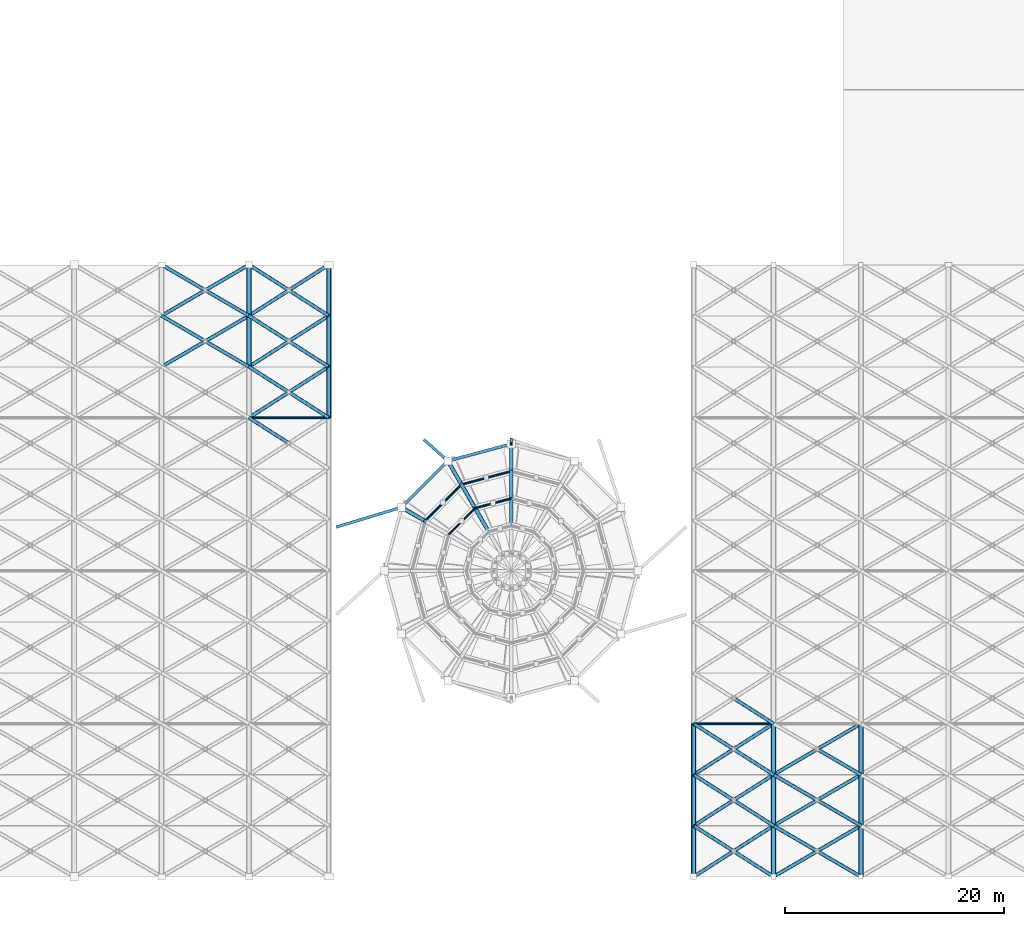
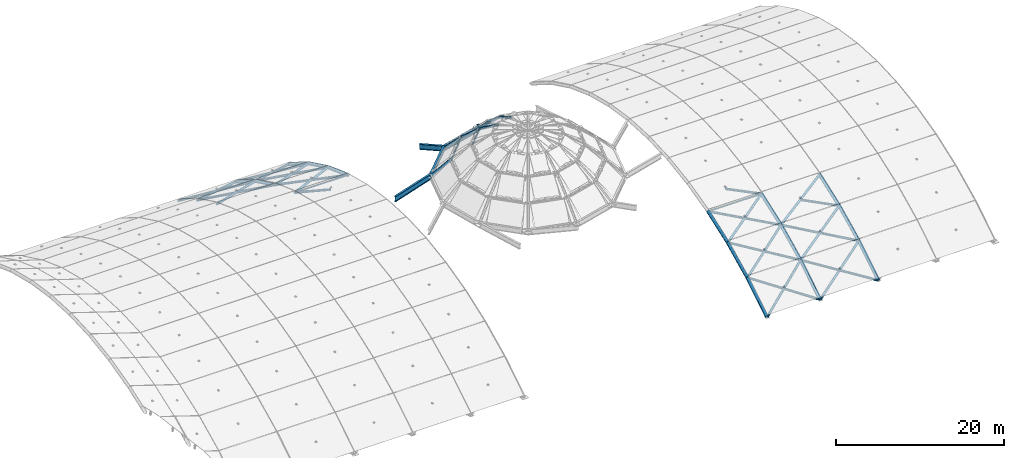
# One storey, part 7 of 21: 61 members, 5 beams.
"""IFC4 building model written with IfcOpenShell, lengths in metres."""

from ifc_helpers import new_model, si_unit, direction, frame, origin, origin_2d, place, context, subcontext, project, spatial, hollow_circle, i_section, extrude, material, material_profile, profile_set, type_object, element, save


model = new_model("IFC4")

# Units and contexts
model_context = context("Model", 3, precision=1e-05, world=origin(), true_north=direction((0.0, 1.0)))
body_context = subcontext(model_context, "Body", "Model", "MODEL_VIEW")
ifc_project = project(units=[si_unit("LENGTHUNIT", "METRE"), si_unit("AREAUNIT", "SQUARE_METRE"), si_unit("VOLUMEUNIT", "CUBIC_METRE"), si_unit("PLANEANGLEUNIT", "RADIAN"), si_unit("MASSUNIT", "GRAM", prefix="KILO")], contexts=[model_context])

# Site, building, storey
site_placement = place(None, origin())
site = spatial("IfcSite", under=ifc_project, at=site_placement, CompositionType="ELEMENT")
building_placement = place(site_placement, origin())
building = spatial("IfcBuilding", under=site, at=building_placement, Name="Solmirada Galleria", CompositionType="ELEMENT")
storey_placement = place(building_placement, frame((0.0, 0.0, 37.5)))
storey = spatial("IfcBuildingStorey", under=building, at=storey_placement, Name="RF", CompositionType="ELEMENT", Elevation=37.5)

# Beams
ifc_material_1 = material(Name="Steel S355 / ASTM A992 Grade 50", Category="steel")
ifc_material_profile_1 = material_profile(ifc_material_1, i_section(OverallWidth=0.26708984375, OverallDepth=0.779052734375, WebThickness=0.0166015625, FlangeThickness=0.030029296875, FilletRadius=0.01904296875, at=origin_2d()), Name="W30X148")
ifc_profile_set_1 = profile_set([ifc_material_profile_1], Name="Steel S355 / ASTM A992 Grade 50")
beam_type = type_object("IfcBeamType", Name="BM-DOME-RING", PredefinedType="BEAM", material=ifc_profile_set_1)
beam_1_placement = place(storey_placement, frame((96.0, 72.0, -0.14990234375), z_axis=(0.0, -0.936376154793, 0.350998143494), x_axis=(1.0, 0.0, 0.0)))
element("IfcBeam", 1, at=beam_1_placement, inside=storey, type_object=beam_type, Name="Atrium dome drum anchor beam 4", PredefinedType="BEAM", context=body_context, shape_type="SweptSolid", body=[
    extrude(i_section(OverallWidth=0.26708984375, OverallDepth=0.779052734375, WebThickness=0.0166015625, FlangeThickness=0.030029296875, FilletRadius=0.01904296875, at=origin_2d()), origin(), (0.0, 0.0, 1.0), 0.427001953125),
])
beam_2_placement = place(storey_placement, frame((96.0, 71.60009765625, 0.0), z_axis=(-0.965922461362, -0.258831602855, 0.0), x_axis=(0.258831602855, -0.965922461362, 0.0)))
element("IfcBeam", 2, at=beam_2_placement, inside=storey, type_object=beam_type, Name="Atrium dome tension ring beam 4", PredefinedType="BEAM", context=body_context, shape_type="SweptSolid", body=[
    extrude(i_section(OverallWidth=0.26708984375, OverallDepth=0.779052734375, WebThickness=0.0166015625, FlangeThickness=0.030029296875, FilletRadius=0.01904296875, at=origin_2d()), origin(), (0.0, 0.0, 1.0), 6.004638671875),
])
beam_3_placement = place(storey_placement, frame((88.0, 72.0, -0.14990234375), z_axis=(0.746679017327, -0.663235917733, 0.050877917727), x_axis=(0.664096001696, 0.747647310255, 0.0)))
element("IfcBeam", 3, at=beam_3_placement, inside=storey, type_object=beam_type, Name="Atrium dome drum anchor beam 5", PredefinedType="BEAM", context=body_context, shape_type="SweptSolid", body=[
    extrude(i_section(OverallWidth=0.26708984375, OverallDepth=0.779052734375, WebThickness=0.0166015625, FlangeThickness=0.030029296875, FilletRadius=0.01904296875, at=origin_2d()), origin(), (0.0, 0.0, 1.0), 2.9462890625),
])
beam_4_placement = place(storey_placement, frame((90.199951171875, 70.0458984375, 0.0), z_axis=(-0.707106781187, -0.707106781187, 0.0), x_axis=(0.707106781187, -0.707106781187, 0.0)))
element("IfcBeam", 4, at=beam_4_placement, inside=storey, type_object=beam_type, Name="Atrium dome tension ring beam 5", PredefinedType="BEAM", context=body_context, shape_type="SweptSolid", body=[
    extrude(i_section(OverallWidth=0.26708984375, OverallDepth=0.779052734375, WebThickness=0.0166015625, FlangeThickness=0.030029296875, FilletRadius=0.01904296875, at=origin_2d()), origin(), (0.0, 0.0, 1.0), 6.004638671875),
])
beam_5_placement = place(storey_placement, frame((80.0, 64.0, -0.14990234375), z_axis=(0.956934854182, 0.289301323597, 0.024092094492), x_axis=(-0.289385319605, 0.957212691515, 0.0)))
element("IfcBeam", 5, at=beam_5_placement, inside=storey, type_object=beam_type, Name="Atrium dome drum anchor beam 6", PredefinedType="BEAM", context=body_context, shape_type="SweptSolid", body=[
    extrude(i_section(OverallWidth=0.26708984375, OverallDepth=0.779052734375, WebThickness=0.0166015625, FlangeThickness=0.030029296875, FilletRadius=0.01904296875, at=origin_2d()), origin(), (0.0, 0.0, 1.0), 6.22216796875),
])

# Members
ifc_material_2 = material(Name="Steel S355 / ASTM A500 Grade C", Category="steel")
ifc_material_profile_2 = material_profile(ifc_material_2, hollow_circle(Radius=0.109619140625, WallThickness=0.007568359375, at=origin_2d()), Name="HSS8.625X0.322")
ifc_profile_set_2 = profile_set([ifc_material_profile_2], Name="Steel S355 / ASTM A500 Grade C")
member_type_1 = type_object("IfcMemberType", Name="MEM-DOME-PURL", PredefinedType="PURLIN", material=ifc_profile_set_2)
for number, where, z_axis, x_axis, name in (
    (6, (72.0, 74.0, -2.471923828125), (1.0, 0.0, 0.0), (0.0, 1.0, 0.0), "Barrel gridshell longitudinal tie W06-09"),
    (7, (112.699951171875, 46.0, -2.471923828125), (1.0, 0.0, 0.0), (0.0, 1.0, 0.0), "Barrel gridshell longitudinal tie E00-03"),
):
    element("IfcMember", number, at=place(storey_placement, frame(where, z_axis=z_axis, x_axis=x_axis)), inside=storey, type_object=member_type_1, Name=name, PredefinedType="PURLIN", context=body_context, shape_type="SweptSolid", body=[
        extrude(hollow_circle(Radius=0.109619140625, WallThickness=0.007568359375, at=origin_2d()), origin(), (0.0, 0.0, 1.0), 7.300048828125),
    ])
for number, where, z_axis, x_axis, name in (
    (8, (96.0, 69.10595703125, 2.4873046875), (-0.965925625449, -0.258819794647, 0.0), (0.258819794647, -0.965925625449, 0.0), "Atrium dome latitude ring purlin 4.1"),
    (9, (91.447021484375, 67.885986328125, 2.4873046875), (-0.707106781187, -0.707106781187, 0.0), (0.707106781187, -0.707106781187, 0.0), "Atrium dome latitude ring purlin 5.1"),
):
    element("IfcMember", number, at=place(storey_placement, frame(where, z_axis=z_axis, x_axis=x_axis)), inside=storey, type_object=member_type_1, Name=name, PredefinedType="PURLIN", context=body_context, shape_type="SweptSolid", body=[
        extrude(hollow_circle(Radius=0.109619140625, WallThickness=0.007568359375, at=origin_2d()), origin(), (0.0, 0.0, 1.0), 4.713623046875),
    ])
member_1_placement = place(storey_placement, frame((96.0, 66.612060546875, 4.59619140625), z_axis=(-0.965931176381, -0.258799077462, 0.0), x_axis=(0.258799077462, -0.965931176381, 0.0)))
element("IfcMember", 10, at=member_1_placement, inside=storey, type_object=member_type_1, Name="Atrium dome latitude ring purlin 4.2", PredefinedType="PURLIN", context=body_context, shape_type="SweptSolid", body=[
    extrude(hollow_circle(Radius=0.109619140625, WallThickness=0.007568359375, at=origin_2d()), origin(), (0.0, 0.0, 1.0), 3.422607421875),
])
member_2_placement = place(storey_placement, frame((92.694091796875, 65.726318359375, 4.59619140625), z_axis=(-0.707106781187, -0.707106781187, 0.0), x_axis=(0.707106781187, -0.707106781187, 0.0)))
element("IfcMember", 11, at=member_2_placement, inside=storey, type_object=member_type_1, Name="Atrium dome latitude ring purlin 5.2", PredefinedType="PURLIN", context=body_context, shape_type="SweptSolid", body=[
    extrude(hollow_circle(Radius=0.109619140625, WallThickness=0.007568359375, at=origin_2d()), origin(), (0.0, 0.0, 1.0), 3.423095703125),
])
ifc_material_profile_3 = material_profile(ifc_material_2, hollow_circle(Radius=0.177978515625, WallThickness=0.01171875, at=origin_2d()), Name="HSS14.000X0.500")
ifc_profile_set_3 = profile_set([ifc_material_profile_3], Name="Steel S355 / ASTM A500 Grade C")
member_type_2 = type_object("IfcMemberType", Name="MEM-DOME-RIB", PredefinedType="RAFTER", material=ifc_profile_set_3)
for number, where, z_axis, x_axis, name in (
    (12, (96.0, 71.60009765625, 0.0), (0.0, -0.708076462934, 0.706135767851), (1.0, 0.0, 0.0), "Atrium dome meridian rib 4.1"),
    (13, (90.199951171875, 70.0458984375, 0.0), (0.354042979296, -0.613198558699, 0.706145237484), (0.866017682129, 0.500013374061, 0.0), "Atrium dome meridian rib 5.1"),
    (14, (85.9541015625, 65.800048828125, 0.0), (0.613198558699, -0.354042979296, 0.706145237484), (0.500013374061, 0.866017682129, 0.0), "Atrium dome meridian rib 6.1"),
):
    element("IfcMember", number, at=place(storey_placement, frame(where, z_axis=z_axis, x_axis=x_axis)), inside=storey, type_object=member_type_2, Name=name, PredefinedType="RAFTER", context=body_context, shape_type="SweptSolid", body=[
        extrude(hollow_circle(Radius=0.177978515625, WallThickness=0.01171875, at=origin_2d()), origin(), (0.0, 0.0, 1.0), 3.5224609375),
    ])
for number, where, z_axis, x_axis, name in (
    (15, (96.0, 69.10595703125, 2.4873046875), (0.0, -0.763587562078, 0.645704293806), (1.0, 0.0, 0.0), "Atrium dome meridian rib 4.2"),
    (16, (91.447021484375, 67.885986328125, 2.4873046875), (0.381834191915, -0.661257882083, 0.645709426343), (0.865993205636, 0.500055764683, 0.0), "Atrium dome meridian rib 5.2"),
):
    element("IfcMember", number, at=place(storey_placement, frame(where, z_axis=z_axis, x_axis=x_axis)), inside=storey, type_object=member_type_2, Name=name, PredefinedType="RAFTER", context=body_context, shape_type="SweptSolid", body=[
        extrude(hollow_circle(Radius=0.177978515625, WallThickness=0.01171875, at=origin_2d()), origin(), (0.0, 0.0, 1.0), 3.26611328125),
    ])
for number, where, z_axis, x_axis, name in (
    (17, (96.0, 66.612060546875, 4.59619140625), (0.0, -0.870681862804, 0.491846616116), (1.0, 0.0, 0.0), "Atrium dome meridian rib 4.3"),
    (18, (92.694091796875, 65.726318359375, 4.59619140625), (0.435280679452, -0.754048985924, 0.491874838676), (0.866060068719, 0.499939953764, 0.0), "Atrium dome meridian rib 5.3"),
):
    element("IfcMember", number, at=place(storey_placement, frame(where, z_axis=z_axis, x_axis=x_axis)), inside=storey, type_object=member_type_2, Name=name, PredefinedType="RAFTER", context=body_context, shape_type="SweptSolid", body=[
        extrude(hollow_circle(Radius=0.177978515625, WallThickness=0.01171875, at=origin_2d()), origin(), (0.0, 0.0, 1.0), 2.864501953125),
    ])
ifc_material_profile_4 = material_profile(ifc_material_2, hollow_circle(Radius=0.228515625, WallThickness=0.01171875, at=origin_2d()), Name="HSS18.000X0.500")
ifc_profile_set_4 = profile_set([ifc_material_profile_4], Name="Steel S355 / ASTM A500 Grade C")
member_type_3 = type_object("IfcMemberType", Name="MEM-VAULT-ARCH2", PredefinedType="RAFTER", material=ifc_profile_set_4)
member_3_placement = place(storey_placement, frame((72.0, 78.666748046875, -4.17236328125), z_axis=(0.0, 0.899303609311, -0.437324842971), x_axis=(-1.0, 0.0, 0.0)))
element("IfcMember", 19, at=member_3_placement, inside=storey, type_object=member_type_3, Name="Barrel vault arch rib W06-10", PredefinedType="RAFTER", context=body_context, shape_type="SweptSolid", body=[
    extrude(hollow_circle(Radius=0.228515625, WallThickness=0.01171875, at=origin_2d()), origin(), (0.0, 0.0, 1.0), 5.18896484375),
])
member_4_placement = place(storey_placement, frame((72.0, 83.333251953125, -6.441650390625), z_axis=(0.0, 0.847856236134, -0.53022618084), x_axis=(-1.0, 0.0, 0.0)))
element("IfcMember", 20, at=member_4_placement, inside=storey, type_object=member_type_3, Name="Barrel vault arch rib W06-11", PredefinedType="RAFTER", context=body_context, shape_type="SweptSolid", body=[
    extrude(hollow_circle(Radius=0.228515625, WallThickness=0.01171875, at=origin_2d()), origin(), (0.0, 0.0, 1.0), 5.504150390625),
])
member_5_placement = place(storey_placement, frame((79.300048828125, 74.0, -2.471923828125), z_axis=(0.0, 0.939570777515, -0.342354719612), x_axis=(-1.0, 0.0, 0.0)))
element("IfcMember", 21, at=member_5_placement, inside=storey, type_object=member_type_3, Name="Barrel vault arch rib W07-09", PredefinedType="RAFTER", context=body_context, shape_type="SweptSolid", body=[
    extrude(hollow_circle(Radius=0.228515625, WallThickness=0.01171875, at=origin_2d()), origin(), (0.0, 0.0, 1.0), 4.966796875),
])
member_6_placement = place(storey_placement, frame((79.300048828125, 78.666748046875, -4.17236328125), z_axis=(0.0, 0.899303609311, -0.437324842971), x_axis=(-1.0, 0.0, 0.0)))
element("IfcMember", 22, at=member_6_placement, inside=storey, type_object=member_type_3, Name="Barrel vault arch rib W07-10", PredefinedType="RAFTER", context=body_context, shape_type="SweptSolid", body=[
    extrude(hollow_circle(Radius=0.228515625, WallThickness=0.01171875, at=origin_2d()), origin(), (0.0, 0.0, 1.0), 5.18896484375),
])
for number, where, z_axis, x_axis, name in (
    (23, (79.300048828125, 83.333251953125, -6.441650390625), (0.0, 0.847856236134, -0.53022618084), (-1.0, 0.0, 0.0), "Barrel vault arch rib W07-11"),
    (24, (112.699951171875, 32.0, -9.360107421875), (0.0, 0.847856236134, 0.53022618084), (-1.0, 0.0, 0.0), "Barrel vault arch rib E00-00"),
):
    element("IfcMember", number, at=place(storey_placement, frame(where, z_axis=z_axis, x_axis=x_axis)), inside=storey, type_object=member_type_3, Name=name, PredefinedType="RAFTER", context=body_context, shape_type="SweptSolid", body=[
        extrude(hollow_circle(Radius=0.228515625, WallThickness=0.01171875, at=origin_2d()), origin(), (0.0, 0.0, 1.0), 5.504150390625),
    ])
member_7_placement = place(storey_placement, frame((112.699951171875, 36.666748046875, -6.441650390625), z_axis=(0.0, 0.899303609311, 0.437324842971), x_axis=(-1.0, 0.0, 0.0)))
element("IfcMember", 25, at=member_7_placement, inside=storey, type_object=member_type_3, Name="Barrel vault arch rib E00-01", PredefinedType="RAFTER", context=body_context, shape_type="SweptSolid", body=[
    extrude(hollow_circle(Radius=0.228515625, WallThickness=0.01171875, at=origin_2d()), origin(), (0.0, 0.0, 1.0), 5.18896484375),
])
member_8_placement = place(storey_placement, frame((112.699951171875, 41.333251953125, -4.17236328125), z_axis=(0.0, 0.939570777515, 0.342354719612), x_axis=(-1.0, 0.0, 0.0)))
element("IfcMember", 26, at=member_8_placement, inside=storey, type_object=member_type_3, Name="Barrel vault arch rib E00-02", PredefinedType="RAFTER", context=body_context, shape_type="SweptSolid", body=[
    extrude(hollow_circle(Radius=0.228515625, WallThickness=0.01171875, at=origin_2d()), origin(), (0.0, 0.0, 1.0), 4.966796875),
])
member_9_placement = place(storey_placement, frame((120.0, 32.0, -9.360107421875), z_axis=(0.0, 0.847856236134, 0.53022618084), x_axis=(-1.0, 0.0, 0.0)))
element("IfcMember", 27, at=member_9_placement, inside=storey, type_object=member_type_3, Name="Barrel vault arch rib E01-00", PredefinedType="RAFTER", context=body_context, shape_type="SweptSolid", body=[
    extrude(hollow_circle(Radius=0.228515625, WallThickness=0.01171875, at=origin_2d()), origin(), (0.0, 0.0, 1.0), 5.504150390625),
])
member_10_placement = place(storey_placement, frame((120.0, 36.666748046875, -6.441650390625), z_axis=(0.0, 0.899303609311, 0.437324842971), x_axis=(-1.0, 0.0, 0.0)))
element("IfcMember", 28, at=member_10_placement, inside=storey, type_object=member_type_3, Name="Barrel vault arch rib E01-01", PredefinedType="RAFTER", context=body_context, shape_type="SweptSolid", body=[
    extrude(hollow_circle(Radius=0.228515625, WallThickness=0.01171875, at=origin_2d()), origin(), (0.0, 0.0, 1.0), 5.18896484375),
])
member_11_placement = place(storey_placement, frame((120.0, 41.333251953125, -4.17236328125), z_axis=(0.0, 0.939570777515, 0.342354719612), x_axis=(-1.0, 0.0, 0.0)))
element("IfcMember", 29, at=member_11_placement, inside=storey, type_object=member_type_3, Name="Barrel vault arch rib E01-02", PredefinedType="RAFTER", context=body_context, shape_type="SweptSolid", body=[
    extrude(hollow_circle(Radius=0.228515625, WallThickness=0.01171875, at=origin_2d()), origin(), (0.0, 0.0, 1.0), 4.966796875),
])
member_12_placement = place(storey_placement, frame((128.0, 32.0, -9.360107421875), z_axis=(0.0, 0.847856236134, 0.53022618084), x_axis=(-1.0, 0.0, 0.0)))
element("IfcMember", 30, at=member_12_placement, inside=storey, type_object=member_type_3, Name="Barrel vault arch rib E02-00", PredefinedType="RAFTER", context=body_context, shape_type="SweptSolid", body=[
    extrude(hollow_circle(Radius=0.228515625, WallThickness=0.01171875, at=origin_2d()), origin(), (0.0, 0.0, 1.0), 5.504150390625),
])
member_13_placement = place(storey_placement, frame((128.0, 36.666748046875, -6.441650390625), z_axis=(0.0, 0.899303609311, 0.437324842971), x_axis=(-1.0, 0.0, 0.0)))
element("IfcMember", 31, at=member_13_placement, inside=storey, type_object=member_type_3, Name="Barrel vault arch rib E02-01", PredefinedType="RAFTER", context=body_context, shape_type="SweptSolid", body=[
    extrude(hollow_circle(Radius=0.228515625, WallThickness=0.01171875, at=origin_2d()), origin(), (0.0, 0.0, 1.0), 5.18896484375),
])
member_14_placement = place(storey_placement, frame((128.0, 41.333251953125, -4.17236328125), z_axis=(0.0, 0.939570777515, 0.342354719612), x_axis=(-1.0, 0.0, 0.0)))
element("IfcMember", 32, at=member_14_placement, inside=storey, type_object=member_type_3, Name="Barrel vault arch rib E02-02", PredefinedType="RAFTER", context=body_context, shape_type="SweptSolid", body=[
    extrude(hollow_circle(Radius=0.228515625, WallThickness=0.01171875, at=origin_2d()), origin(), (0.0, 0.0, 1.0), 4.966796875),
])
ifc_material_profile_5 = material_profile(ifc_material_2, hollow_circle(Radius=0.162109375, WallThickness=0.0087890625, at=origin_2d()), Name="HSS12.750X0.375")
ifc_profile_set_5 = profile_set([ifc_material_profile_5], Name="Steel S355 / ASTM A500 Grade C")
member_type_4 = type_object("IfcMemberType", Name="MEM-VAULT-DIAG", PredefinedType="BRACE", material=ifc_profile_set_5)
member_15_placement = place(storey_placement, frame((64.0, 78.666748046875, -4.17236328125), z_axis=(0.838969414701, 0.489381756366, -0.237982809743), x_axis=(-0.503857913421, 0.863786549492, 0.0)))
element("IfcMember", 33, at=member_15_placement, inside=storey, type_object=member_type_4, Name="Barrel gridshell continuous diagonal W05-10", PredefinedType="BRACE", context=body_context, shape_type="SweptSolid", body=[
    extrude(hollow_circle(Radius=0.162109375, WallThickness=0.0087890625, at=origin_2d()), origin(), (0.0, 0.0, 1.0), 9.535400390625),
])
for number, where, z_axis, x_axis, name in (
    (34, (64.0, 83.333251953125, -6.441650390625), (0.838964302507, -0.489378774357, 0.238006962772), (0.503857913421, 0.863786549492, 0.0), "Barrel gridshell split diagonal B1 W05-10"),
    (35, (68.0, 81.0, -5.306884765625), (0.838974526438, -0.489384738108, 0.237958656272), (0.503857913421, 0.863786549492, 0.0), "Barrel gridshell split diagonal B2 W05-10"),
):
    element("IfcMember", number, at=place(storey_placement, frame(where, z_axis=z_axis, x_axis=x_axis)), inside=storey, type_object=member_type_4, Name=name, PredefinedType="BRACE", context=body_context, shape_type="SweptSolid", body=[
        extrude(hollow_circle(Radius=0.162109375, WallThickness=0.0087890625, at=origin_2d()), origin(), (0.0, 0.0, 1.0), 4.767822265625),
    ])
member_16_placement = place(storey_placement, frame((64.0, 83.333251953125, -6.441650390625), z_axis=(0.823841216452, 0.480582423477, -0.300543148849), x_axis=(-0.503877581445, 0.863775076578, 0.0)))
element("IfcMember", 36, at=member_16_placement, inside=storey, type_object=member_type_4, Name="Barrel gridshell continuous diagonal W05-11", PredefinedType="BRACE", context=body_context, shape_type="SweptSolid", body=[
    extrude(hollow_circle(Radius=0.162109375, WallThickness=0.0087890625, at=origin_2d()), origin(), (0.0, 0.0, 1.0), 9.710693359375),
])
member_17_placement = place(storey_placement, frame((64.0, 88.0, -9.360107421875), z_axis=(0.823851170541, -0.480563088187, 0.300546780171), x_axis=(0.503857913421, 0.863786549492, 0.0)))
element("IfcMember", 37, at=member_17_placement, inside=storey, type_object=member_type_4, Name="Barrel gridshell split diagonal B1 W05-11", PredefinedType="BRACE", context=body_context, shape_type="SweptSolid", body=[
    extrude(hollow_circle(Radius=0.162109375, WallThickness=0.0087890625, at=origin_2d()), origin(), (0.0, 0.0, 1.0), 4.855224609375),
])
member_18_placement = place(storey_placement, frame((68.0, 85.666748046875, -7.90087890625), z_axis=(0.823831262204, -0.480601758066, 0.300539517468), x_axis=(0.503897248685, 0.863763603521, 0.0)))
element("IfcMember", 38, at=member_18_placement, inside=storey, type_object=member_type_4, Name="Barrel gridshell split diagonal B2 W05-11", PredefinedType="BRACE", context=body_context, shape_type="SweptSolid", body=[
    extrude(hollow_circle(Radius=0.162109375, WallThickness=0.0087890625, at=origin_2d()), origin(), (0.0, 0.0, 1.0), 4.85546875),
])
member_19_placement = place(storey_placement, frame((72.0, 74.0, -2.471923828125), z_axis=(0.834805227222, -0.533661107462, 0.135299870606), x_axis=(0.538613825489, 0.842552756207, 0.0)))
element("IfcMember", 39, at=member_19_placement, inside=storey, type_object=member_type_4, Name="Barrel gridshell split diagonal B1 W06-08", PredefinedType="BRACE", context=body_context, shape_type="SweptSolid", body=[
    extrude(hollow_circle(Radius=0.162109375, WallThickness=0.0087890625, at=origin_2d()), origin(), (0.0, 0.0, 1.0), 4.3720703125),
])
member_20_placement = place(storey_placement, frame((72.0, 74.0, -2.471923828125), z_axis=(0.826775837558, 0.528538180493, -0.192585321848), x_axis=(-0.538621041402, 0.842548143289, 0.0)))
element("IfcMember", 40, at=member_20_placement, inside=storey, type_object=member_type_4, Name="Barrel gridshell continuous diagonal W06-09", PredefinedType="BRACE", context=body_context, shape_type="SweptSolid", body=[
    extrude(hollow_circle(Radius=0.162109375, WallThickness=0.0087890625, at=origin_2d()), origin(), (0.0, 0.0, 1.0), 8.82958984375),
])
for number, where, z_axis, x_axis, name in (
    (41, (72.0, 78.666748046875, -4.17236328125), (0.826759406587, -0.52857300389, 0.192560284531), (0.53865383197, 0.842527180158, 0.0), "Barrel gridshell split diagonal B1 W06-09"),
    (42, (75.64990234375, 76.333251953125, -3.322265625), (0.826792266339, -0.528503356926, 0.19261035808), (0.53858825058, 0.842569104784, 0.0), "Barrel gridshell split diagonal B2 W06-09"),
):
    element("IfcMember", number, at=place(storey_placement, frame(where, z_axis=z_axis, x_axis=x_axis)), inside=storey, type_object=member_type_4, Name=name, PredefinedType="BRACE", context=body_context, shape_type="SweptSolid", body=[
        extrude(hollow_circle(Radius=0.162109375, WallThickness=0.0087890625, at=origin_2d()), origin(), (0.0, 0.0, 1.0), 4.414794921875),
    ])
member_21_placement = place(storey_placement, frame((72.0, 78.666748046875, -4.17236328125), z_axis=(0.815067438216, 0.521026019667, -0.253371186188), x_axis=(-0.538601037793, 0.842560930787, 0.0)))
element("IfcMember", 43, at=member_21_placement, inside=storey, type_object=member_type_4, Name="Barrel gridshell continuous diagonal W06-10", PredefinedType="BRACE", context=body_context, shape_type="SweptSolid", body=[
    extrude(hollow_circle(Radius=0.162109375, WallThickness=0.0087890625, at=origin_2d()), origin(), (0.0, 0.0, 1.0), 8.956298828125),
])
member_22_placement = place(storey_placement, frame((72.0, 83.333251953125, -6.441650390625), z_axis=(0.815052658275, -0.521033996999, 0.253402324793), x_axis=(0.538613825489, 0.842552756207, 0.0)))
element("IfcMember", 44, at=member_22_placement, inside=storey, type_object=member_type_4, Name="Barrel gridshell split diagonal B1 W06-10", PredefinedType="BRACE", context=body_context, shape_type="SweptSolid", body=[
    extrude(hollow_circle(Radius=0.162109375, WallThickness=0.0087890625, at=origin_2d()), origin(), (0.0, 0.0, 1.0), 4.47802734375),
])
member_23_placement = place(storey_placement, frame((75.64990234375, 81.0, -5.306884765625), z_axis=(0.815082216684, -0.521018041927, 0.25334004822), x_axis=(0.53858825058, 0.842569104784, 0.0)))
element("IfcMember", 45, at=member_23_placement, inside=storey, type_object=member_type_4, Name="Barrel gridshell split diagonal B2 W06-10", PredefinedType="BRACE", context=body_context, shape_type="SweptSolid", body=[
    extrude(hollow_circle(Radius=0.162109375, WallThickness=0.0087890625, at=origin_2d()), origin(), (0.0, 0.0, 1.0), 4.478271484375),
])
member_24_placement = place(storey_placement, frame((72.0, 83.333251953125, -6.441650390625), z_axis=(0.798467652545, 0.51044142933, -0.31921615727), x_axis=(-0.538621041402, 0.842548143289, 0.0)))
element("IfcMember", 46, at=member_24_placement, inside=storey, type_object=member_type_4, Name="Barrel gridshell continuous diagonal W06-11", PredefinedType="BRACE", context=body_context, shape_type="SweptSolid", body=[
    extrude(hollow_circle(Radius=0.162109375, WallThickness=0.0087890625, at=origin_2d()), origin(), (0.0, 0.0, 1.0), 9.142578125),
])
member_25_placement = place(storey_placement, frame((72.0, 88.0, -9.360107421875), z_axis=(0.798468857419, -0.510432566579, 0.319227315103), x_axis=(0.538613825489, 0.842552756207, 0.0)))
element("IfcMember", 47, at=member_25_placement, inside=storey, type_object=member_type_4, Name="Barrel gridshell split diagonal B1 W06-11", PredefinedType="BRACE", context=body_context, shape_type="SweptSolid", body=[
    extrude(hollow_circle(Radius=0.162109375, WallThickness=0.0087890625, at=origin_2d()), origin(), (0.0, 0.0, 1.0), 4.571044921875),
])
member_26_placement = place(storey_placement, frame((75.64990234375, 85.666748046875, -7.90087890625), z_axis=(0.798466447593, -0.510450291358, 0.319205000151), x_axis=(0.538628256713, 0.842543530668, 0.0)))
element("IfcMember", 48, at=member_26_placement, inside=storey, type_object=member_type_4, Name="Barrel gridshell split diagonal B2 W06-11", PredefinedType="BRACE", context=body_context, shape_type="SweptSolid", body=[
    extrude(hollow_circle(Radius=0.162109375, WallThickness=0.0087890625, at=origin_2d()), origin(), (0.0, 0.0, 1.0), 4.571533203125),
])
member_27_placement = place(storey_placement, frame((112.699951171875, 32.0, -9.360107421875), z_axis=(0.798467652545, 0.51044142933, 0.31921615727), x_axis=(-0.538621041402, 0.842548143289, 0.0)))
element("IfcMember", 49, at=member_27_placement, inside=storey, type_object=member_type_4, Name="Barrel gridshell continuous diagonal E00-00", PredefinedType="BRACE", context=body_context, shape_type="SweptSolid", body=[
    extrude(hollow_circle(Radius=0.162109375, WallThickness=0.0087890625, at=origin_2d()), origin(), (0.0, 0.0, 1.0), 9.142578125),
])
member_28_placement = place(storey_placement, frame((112.699951171875, 36.666748046875, -6.441650390625), z_axis=(0.798466447593, -0.510450291358, -0.319205000151), x_axis=(0.538628256713, 0.842543530668, 0.0)))
element("IfcMember", 50, at=member_28_placement, inside=storey, type_object=member_type_4, Name="Barrel gridshell split diagonal B1 E00-00", PredefinedType="BRACE", context=body_context, shape_type="SweptSolid", body=[
    extrude(hollow_circle(Radius=0.162109375, WallThickness=0.0087890625, at=origin_2d()), origin(), (0.0, 0.0, 1.0), 4.571533203125),
])
member_29_placement = place(storey_placement, frame((116.35009765625, 34.333251953125, -7.90087890625), z_axis=(0.798468857419, -0.510432566579, -0.319227315103), x_axis=(0.538613825489, 0.842552756207, 0.0)))
element("IfcMember", 51, at=member_29_placement, inside=storey, type_object=member_type_4, Name="Barrel gridshell split diagonal B2 E00-00", PredefinedType="BRACE", context=body_context, shape_type="SweptSolid", body=[
    extrude(hollow_circle(Radius=0.162109375, WallThickness=0.0087890625, at=origin_2d()), origin(), (0.0, 0.0, 1.0), 4.571044921875),
])
member_30_placement = place(storey_placement, frame((112.699951171875, 36.666748046875, -6.441650390625), z_axis=(0.815067438216, 0.521026019667, 0.253371186188), x_axis=(-0.538601037793, 0.842560930787, 0.0)))
element("IfcMember", 52, at=member_30_placement, inside=storey, type_object=member_type_4, Name="Barrel gridshell continuous diagonal E00-01", PredefinedType="BRACE", context=body_context, shape_type="SweptSolid", body=[
    extrude(hollow_circle(Radius=0.162109375, WallThickness=0.0087890625, at=origin_2d()), origin(), (0.0, 0.0, 1.0), 8.956298828125),
])
member_31_placement = place(storey_placement, frame((112.699951171875, 41.333251953125, -4.17236328125), z_axis=(0.815082216684, -0.521018041927, -0.25334004822), x_axis=(0.53858825058, 0.842569104784, 0.0)))
element("IfcMember", 53, at=member_31_placement, inside=storey, type_object=member_type_4, Name="Barrel gridshell split diagonal B1 E00-01", PredefinedType="BRACE", context=body_context, shape_type="SweptSolid", body=[
    extrude(hollow_circle(Radius=0.162109375, WallThickness=0.0087890625, at=origin_2d()), origin(), (0.0, 0.0, 1.0), 4.478271484375),
])
member_32_placement = place(storey_placement, frame((116.35009765625, 39.0, -5.306884765625), z_axis=(0.815052658275, -0.521033996999, -0.253402324793), x_axis=(0.538613825489, 0.842552756207, 0.0)))
element("IfcMember", 54, at=member_32_placement, inside=storey, type_object=member_type_4, Name="Barrel gridshell split diagonal B2 E00-01", PredefinedType="BRACE", context=body_context, shape_type="SweptSolid", body=[
    extrude(hollow_circle(Radius=0.162109375, WallThickness=0.0087890625, at=origin_2d()), origin(), (0.0, 0.0, 1.0), 4.47802734375),
])
member_33_placement = place(storey_placement, frame((112.699951171875, 41.333251953125, -4.17236328125), z_axis=(0.826775837558, 0.528538180493, 0.192585321848), x_axis=(-0.538621041402, 0.842548143289, 0.0)))
element("IfcMember", 55, at=member_33_placement, inside=storey, type_object=member_type_4, Name="Barrel gridshell continuous diagonal E00-02", PredefinedType="BRACE", context=body_context, shape_type="SweptSolid", body=[
    extrude(hollow_circle(Radius=0.162109375, WallThickness=0.0087890625, at=origin_2d()), origin(), (0.0, 0.0, 1.0), 8.82958984375),
])
for number, where, z_axis, x_axis, name in (
    (56, (112.699951171875, 46.0, -2.471923828125), (0.826792266339, -0.528503356926, -0.19261035808), (0.53858825058, 0.842569104784, 0.0), "Barrel gridshell split diagonal B1 E00-02"),
    (57, (116.35009765625, 43.666748046875, -3.322265625), (0.826759406587, -0.52857300389, -0.192560284531), (0.53865383197, 0.842527180158, 0.0), "Barrel gridshell split diagonal B2 E00-02"),
):
    element("IfcMember", number, at=place(storey_placement, frame(where, z_axis=z_axis, x_axis=x_axis)), inside=storey, type_object=member_type_4, Name=name, PredefinedType="BRACE", context=body_context, shape_type="SweptSolid", body=[
        extrude(hollow_circle(Radius=0.162109375, WallThickness=0.0087890625, at=origin_2d()), origin(), (0.0, 0.0, 1.0), 4.414794921875),
    ])
member_34_placement = place(storey_placement, frame((116.35009765625, 48.333251953125, -1.88037109375), z_axis=(0.834805227222, -0.533661107462, -0.135299870606), x_axis=(0.538613825489, 0.842552756207, 0.0)))
element("IfcMember", 58, at=member_34_placement, inside=storey, type_object=member_type_4, Name="Barrel gridshell split diagonal B2 E00-03", PredefinedType="BRACE", context=body_context, shape_type="SweptSolid", body=[
    extrude(hollow_circle(Radius=0.162109375, WallThickness=0.0087890625, at=origin_2d()), origin(), (0.0, 0.0, 1.0), 4.3720703125),
])
member_35_placement = place(storey_placement, frame((120.0, 32.0, -9.360107421875), z_axis=(0.823841216452, 0.480582423477, 0.300543148849), x_axis=(-0.503877581445, 0.863775076578, 0.0)))
element("IfcMember", 59, at=member_35_placement, inside=storey, type_object=member_type_4, Name="Barrel gridshell continuous diagonal E01-00", PredefinedType="BRACE", context=body_context, shape_type="SweptSolid", body=[
    extrude(hollow_circle(Radius=0.162109375, WallThickness=0.0087890625, at=origin_2d()), origin(), (0.0, 0.0, 1.0), 9.710693359375),
])
member_36_placement = place(storey_placement, frame((120.0, 36.666748046875, -6.441650390625), z_axis=(0.823831262204, -0.480601758066, -0.300539517468), x_axis=(0.503897248685, 0.863763603521, 0.0)))
element("IfcMember", 60, at=member_36_placement, inside=storey, type_object=member_type_4, Name="Barrel gridshell split diagonal B1 E01-00", PredefinedType="BRACE", context=body_context, shape_type="SweptSolid", body=[
    extrude(hollow_circle(Radius=0.162109375, WallThickness=0.0087890625, at=origin_2d()), origin(), (0.0, 0.0, 1.0), 4.85546875),
])
member_37_placement = place(storey_placement, frame((124.0, 34.333251953125, -7.90087890625), z_axis=(0.823851170541, -0.480563088187, -0.300546780171), x_axis=(0.503857913421, 0.863786549492, 0.0)))
element("IfcMember", 61, at=member_37_placement, inside=storey, type_object=member_type_4, Name="Barrel gridshell split diagonal B2 E01-00", PredefinedType="BRACE", context=body_context, shape_type="SweptSolid", body=[
    extrude(hollow_circle(Radius=0.162109375, WallThickness=0.0087890625, at=origin_2d()), origin(), (0.0, 0.0, 1.0), 4.855224609375),
])
member_38_placement = place(storey_placement, frame((120.0, 36.666748046875, -6.441650390625), z_axis=(0.838969414701, 0.489381756366, 0.237982809743), x_axis=(-0.503857913421, 0.863786549492, 0.0)))
element("IfcMember", 62, at=member_38_placement, inside=storey, type_object=member_type_4, Name="Barrel gridshell continuous diagonal E01-01", PredefinedType="BRACE", context=body_context, shape_type="SweptSolid", body=[
    extrude(hollow_circle(Radius=0.162109375, WallThickness=0.0087890625, at=origin_2d()), origin(), (0.0, 0.0, 1.0), 9.535400390625),
])
for number, where, z_axis, x_axis, name in (
    (63, (120.0, 41.333251953125, -4.17236328125), (0.838974526438, -0.489384738108, -0.237958656272), (0.503857913421, 0.863786549492, 0.0), "Barrel gridshell split diagonal B1 E01-01"),
    (64, (124.0, 39.0, -5.306884765625), (0.838964302507, -0.489378774357, -0.238006962772), (0.503857913421, 0.863786549492, 0.0), "Barrel gridshell split diagonal B2 E01-01"),
):
    element("IfcMember", number, at=place(storey_placement, frame(where, z_axis=z_axis, x_axis=x_axis)), inside=storey, type_object=member_type_4, Name=name, PredefinedType="BRACE", context=body_context, shape_type="SweptSolid", body=[
        extrude(hollow_circle(Radius=0.162109375, WallThickness=0.0087890625, at=origin_2d()), origin(), (0.0, 0.0, 1.0), 4.767822265625),
    ])
member_39_placement = place(storey_placement, frame((120.0, 41.333251953125, -4.17236328125), z_axis=(0.84957466948, 0.495593866184, 0.180581285795), x_axis=(-0.503877581445, 0.863775076578, 0.0)))
element("IfcMember", 65, at=member_39_placement, inside=storey, type_object=member_type_4, Name="Barrel gridshell continuous diagonal E01-02", PredefinedType="BRACE", context=body_context, shape_type="SweptSolid", body=[
    extrude(hollow_circle(Radius=0.162109375, WallThickness=0.0087890625, at=origin_2d()), origin(), (0.0, 0.0, 1.0), 9.41650390625),
])
member_40_placement = place(storey_placement, frame((124.0, 43.666748046875, -3.322265625), z_axis=(0.849567730246, -0.495615744977, -0.180553884077), x_axis=(0.503897248685, 0.863763603521, 0.0)))
element("IfcMember", 66, at=member_40_placement, inside=storey, type_object=member_type_4, Name="Barrel gridshell split diagonal B2 E01-02", PredefinedType="BRACE", context=body_context, shape_type="SweptSolid", body=[
    extrude(hollow_circle(Radius=0.162109375, WallThickness=0.0087890625, at=origin_2d()), origin(), (0.0, 0.0, 1.0), 4.708251953125),
])

save(model, "model.ifc")
